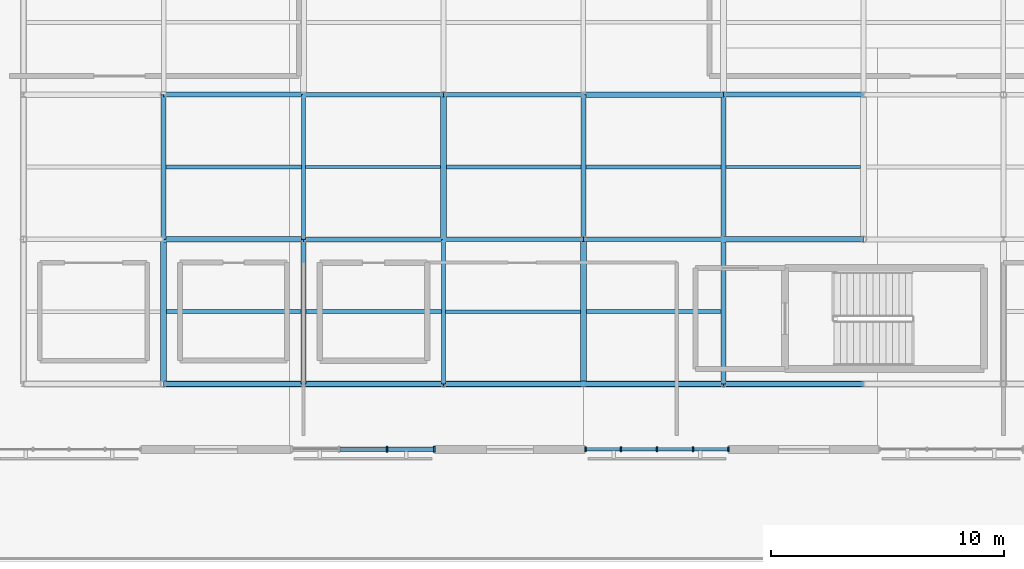
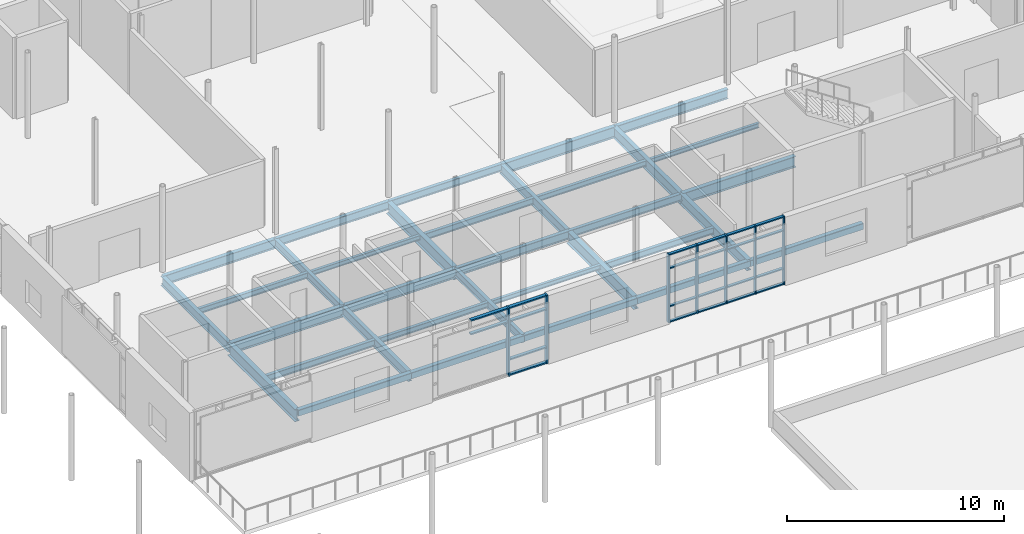
# One storey, part 23 of 66: 34 beams, 29 members, 2 elements without a shape of their own.
"""IFC4 building model written with IfcOpenShell, lengths in metres."""

from ifc_helpers import new_model, si_unit, direction, frame, origin, origin_2d, place, context, subcontext, project, spatial, rectangle, hollow_rectangle, i_section, extrude, material, layer, layer_set, material_profile, profile_set, type_object, element, aggregate, save


model = new_model("IFC4")

# Units and contexts
model_context = context("Model", 3, precision=1e-05, world=origin(), true_north=direction((0.0, 1.0)))
body_context = subcontext(model_context, "Body", "Model", "MODEL_VIEW")
ifc_project = project(units=[si_unit("LENGTHUNIT", "METRE"), si_unit("AREAUNIT", "SQUARE_METRE"), si_unit("VOLUMEUNIT", "CUBIC_METRE"), si_unit("PLANEANGLEUNIT", "RADIAN"), si_unit("MASSUNIT", "GRAM", prefix="KILO")], contexts=[model_context])

# Site, building, storey
site_placement = place(None, origin())
site = spatial("IfcSite", under=ifc_project, at=site_placement, CompositionType="ELEMENT")
building_placement = place(site_placement, origin())
building = spatial("IfcBuilding", under=site, at=building_placement, Name="Mirzam Square Science Centre", CompositionType="ELEMENT")
storey_placement = place(building_placement, frame((0.0, 0.0, 15.60009765625)))
storey = spatial("IfcBuildingStorey", under=building, at=storey_placement, Name="L03", CompositionType="ELEMENT", Elevation=15.60009765625)

# Beams
ifc_material_1 = material(Name="Steel S355", Category="steel")
ifc_material_profile_1 = material_profile(ifc_material_1, i_section(OverallWidth=0.1787109375, OverallDepth=0.409423828125, WebThickness=0.0087890625, FlangeThickness=0.014404296875, FilletRadius=0.01025390625, at=origin_2d()), Name="406x178x67UB")
ifc_profile_set_1 = profile_set([ifc_material_profile_1], Name="Steel S355")
beam_type_1 = type_object("IfcBeamType", Name="BM-UB406", PredefinedType="BEAM", material=ifc_profile_set_1)
for number, where, z_axis, x_axis, name in (
    (1, (132.0, 55.800048828125, -0.454833984375), (1.0, 0.0, 0.0), (0.0, 1.0, 0.0), "L03 girder X23-10"),
    (2, (126.0, 62.0, -0.454833984375), (1.0, 0.0, 0.0), (0.0, 1.0, 0.0), "L03 girder X22-11"),
):
    element("IfcBeam", number, at=place(storey_placement, frame(where, z_axis=z_axis, x_axis=x_axis)), inside=storey, type_object=beam_type_1, Name=name, PredefinedType="BEAM", context=body_context, shape_type="SweptSolid", body=[
        extrude(i_section(OverallWidth=0.1787109375, OverallDepth=0.409423828125, WebThickness=0.0087890625, FlangeThickness=0.014404296875, FilletRadius=0.01025390625, at=origin_2d()), origin(), (0.0, 0.0, 1.0), 6.0),
    ])
ifc_material_profile_2 = material_profile(ifc_material_1, i_section(OverallWidth=0.19140625, OverallDepth=0.4599609375, WebThickness=0.010009765625, FlangeThickness=0.01611328125, FilletRadius=0.01025390625, at=origin_2d()), Name="457x191x82UB")
ifc_profile_set_2 = profile_set([ifc_material_profile_2], Name="Steel S355")
beam_type_2 = type_object("IfcBeamType", Name="BM-UB457", PredefinedType="BEAM", material=ifc_profile_set_2)
for number, where, z_axis, x_axis, name in (
    (3, (126.0, 55.800048828125, -0.47998046875), (1.0, 0.0, 0.0), (0.0, 1.0, 0.0), "L03 girder X22-10"),
    (4, (120.0, 62.0, -0.47998046875), (1.0, 0.0, 0.0), (0.0, 1.0, 0.0), "L03 girder X21-11"),
):
    element("IfcBeam", number, at=place(storey_placement, frame(where, z_axis=z_axis, x_axis=x_axis)), inside=storey, type_object=beam_type_2, Name=name, PredefinedType="BEAM", context=body_context, shape_type="SweptSolid", body=[
        extrude(i_section(OverallWidth=0.19140625, OverallDepth=0.4599609375, WebThickness=0.010009765625, FlangeThickness=0.01611328125, FilletRadius=0.01025390625, at=origin_2d()), origin(), (0.0, 0.0, 1.0), 6.0),
    ])
for number, where, z_axis, x_axis, name in (
    (5, (120.0, 55.800048828125, -0.47998046875), (0.0, 1.0, 0.0), (-1.0, 0.0, 0.0), "L03 girder Y21-10"),
    (6, (126.0, 49.60009765625, -0.47998046875), (0.0, 1.0, 0.0), (-1.0, 0.0, 0.0), "L03 girder Y22-9"),
):
    element("IfcBeam", number, at=place(storey_placement, frame(where, z_axis=z_axis, x_axis=x_axis)), inside=storey, type_object=beam_type_2, Name=name, PredefinedType="BEAM", context=body_context, shape_type="SweptSolid", body=[
        extrude(i_section(OverallWidth=0.19140625, OverallDepth=0.4599609375, WebThickness=0.010009765625, FlangeThickness=0.01611328125, FilletRadius=0.01025390625, at=origin_2d()), origin(), (0.0, 0.0, 1.0), 6.199951171875),
    ])
ifc_material_profile_3 = material_profile(ifc_material_1, i_section(OverallWidth=0.2099609375, OverallDepth=0.53662109375, WebThickness=0.0107421875, FlangeThickness=0.017333984375, FilletRadius=0.0126953125, at=origin_2d()), Name="533x210x101UB")
ifc_profile_set_3 = profile_set([ifc_material_profile_3], Name="Steel S355")
beam_type_3 = type_object("IfcBeamType", Name="BM-UB533", PredefinedType="BEAM", material=ifc_profile_set_3)
for number, where, z_axis, x_axis, name in (
    (7, (120.0, 55.800048828125, -0.5185546875), (1.0, 0.0, 0.0), (0.0, 1.0, 0.0), "L03 girder X21-10"),
    (8, (114.0, 62.0, -0.5185546875), (1.0, 0.0, 0.0), (0.0, 1.0, 0.0), "L03 girder X20-11"),
    (9, (138.0, 62.0, -0.5185546875), (1.0, 0.0, 0.0), (0.0, 1.0, 0.0), "L03 girder X24-11"),
):
    element("IfcBeam", number, at=place(storey_placement, frame(where, z_axis=z_axis, x_axis=x_axis)), inside=storey, type_object=beam_type_3, Name=name, PredefinedType="BEAM", context=body_context, shape_type="SweptSolid", body=[
        extrude(i_section(OverallWidth=0.2099609375, OverallDepth=0.53662109375, WebThickness=0.0107421875, FlangeThickness=0.017333984375, FilletRadius=0.0126953125, at=origin_2d()), origin(), (0.0, 0.0, 1.0), 6.0),
    ])
for number, where, z_axis, x_axis, name in (
    (10, (114.0, 55.800048828125, -0.5185546875), (0.0, 1.0, 0.0), (-1.0, 0.0, 0.0), "L03 girder Y20-10"),
    (11, (120.0, 49.60009765625, -0.5185546875), (0.0, 1.0, 0.0), (-1.0, 0.0, 0.0), "L03 girder Y21-9"),
    (12, (132.0, 55.800048828125, -0.5185546875), (0.0, 1.0, 0.0), (-1.0, 0.0, 0.0), "L03 girder Y23-10"),
):
    element("IfcBeam", number, at=place(storey_placement, frame(where, z_axis=z_axis, x_axis=x_axis)), inside=storey, type_object=beam_type_3, Name=name, PredefinedType="BEAM", context=body_context, shape_type="SweptSolid", body=[
        extrude(i_section(OverallWidth=0.2099609375, OverallDepth=0.53662109375, WebThickness=0.0107421875, FlangeThickness=0.017333984375, FilletRadius=0.0126953125, at=origin_2d()), origin(), (0.0, 0.0, 1.0), 6.199951171875),
    ])
ifc_material_profile_4 = material_profile(ifc_material_1, i_section(OverallWidth=0.22900390625, OverallDepth=0.6123046875, WebThickness=0.011962890625, FlangeThickness=0.01953125, FilletRadius=0.0126953125, at=origin_2d()), Name="610x229x125UB")
ifc_profile_set_4 = profile_set([ifc_material_profile_4], Name="Steel S355")
beam_type_4 = type_object("IfcBeamType", Name="BM-UB610", PredefinedType="BEAM", material=ifc_profile_set_4)
for number, where, z_axis, x_axis, name in (
    (13, (114.0, 55.800048828125, -0.55615234375), (1.0, 0.0, 0.0), (0.0, 1.0, 0.0), "L03 girder X20-10"),
    (14, (138.0, 55.800048828125, -0.55615234375), (1.0, 0.0, 0.0), (0.0, 1.0, 0.0), "L03 girder X24-10"),
    (15, (132.0, 62.0, -0.55615234375), (1.0, 0.0, 0.0), (0.0, 1.0, 0.0), "L03 girder X23-11"),
):
    element("IfcBeam", number, at=place(storey_placement, frame(where, z_axis=z_axis, x_axis=x_axis)), inside=storey, type_object=beam_type_4, Name=name, PredefinedType="BEAM", context=body_context, shape_type="SweptSolid", body=[
        extrude(i_section(OverallWidth=0.22900390625, OverallDepth=0.6123046875, WebThickness=0.011962890625, FlangeThickness=0.01953125, FilletRadius=0.0126953125, at=origin_2d()), origin(), (0.0, 0.0, 1.0), 6.0),
    ])
for number, where, z_axis, x_axis, name in (
    (16, (138.0, 49.60009765625, -0.55615234375), (0.0, 1.0, 0.0), (-1.0, 0.0, 0.0), "L03 girder Y24-9"),
    (17, (138.0, 55.800048828125, -0.55615234375), (0.0, 1.0, 0.0), (-1.0, 0.0, 0.0), "L03 girder Y24-10"),
):
    element("IfcBeam", number, at=place(storey_placement, frame(where, z_axis=z_axis, x_axis=x_axis)), inside=storey, type_object=beam_type_4, Name=name, PredefinedType="BEAM", context=body_context, shape_type="SweptSolid", body=[
        extrude(i_section(OverallWidth=0.22900390625, OverallDepth=0.6123046875, WebThickness=0.011962890625, FlangeThickness=0.01953125, FilletRadius=0.0126953125, at=origin_2d()), origin(), (0.0, 0.0, 1.0), 6.199951171875),
    ])
ifc_material_profile_5 = material_profile(ifc_material_1, i_section(OverallWidth=0.25439453125, OverallDepth=0.6875, WebThickness=0.01318359375, FlangeThickness=0.02099609375, FilletRadius=0.01513671875, at=origin_2d()), Name="686x254x152UB")
ifc_profile_set_5 = profile_set([ifc_material_profile_5], Name="Steel S355")
beam_type_5 = type_object("IfcBeamType", Name="BM-UB686", PredefinedType="BEAM", material=ifc_profile_set_5)
for number, where, z_axis, x_axis, name in (
    (18, (114.0, 49.60009765625, -0.593994140625), (0.0, 1.0, 0.0), (-1.0, 0.0, 0.0), "L03 girder Y20-9"),
    (19, (126.0, 55.800048828125, -0.593994140625), (0.0, 1.0, 0.0), (-1.0, 0.0, 0.0), "L03 girder Y22-10"),
    (20, (132.0, 49.60009765625, -0.593994140625), (0.0, 1.0, 0.0), (-1.0, 0.0, 0.0), "L03 girder Y23-9"),
):
    element("IfcBeam", number, at=place(storey_placement, frame(where, z_axis=z_axis, x_axis=x_axis)), inside=storey, type_object=beam_type_5, Name=name, PredefinedType="BEAM", context=body_context, shape_type="SweptSolid", body=[
        extrude(i_section(OverallWidth=0.25439453125, OverallDepth=0.6875, WebThickness=0.01318359375, FlangeThickness=0.02099609375, FilletRadius=0.01513671875, at=origin_2d()), origin(), (0.0, 0.0, 1.0), 6.199951171875),
    ])

# Curtain wall, members
ifc_material_2 = material(Name="Anodised Aluminium and Low-E Solar Glass", Category="aluminium")
ifc_layer_1 = layer(ifc_material_2, 0.179931640625)
ifc_layer_set_1 = layer_set([ifc_layer_1], Name="CW-LINK-A")
curtain_wall_type_1 = type_object("IfcCurtainWallType", Name="CW-LINK-A", PredefinedType="USERDEFINED", material=ifc_layer_set_1)
curtain_wall_1_placement = place(storey_placement, origin())
curtain_wall_1 = element("IfcCurtainWall", 21, at=curtain_wall_1_placement, inside=storey, type_object=curtain_wall_type_1, Name="L03 unitised curtain wall 125", ObjectType="UNITISED CURTAIN WALL", PredefinedType="USERDEFINED")
ifc_material_3 = material(Name="Anodised Architectural Aluminium 6063-T6", Category="aluminium")
ifc_material_profile_6 = material_profile(ifc_material_3, rectangle(XDim=0.06494140625, YDim=0.199951171875, at=origin_2d()), Name="ALU-MULL-200x65x5")
ifc_profile_set_6 = profile_set([ifc_material_profile_6], Name="Anodised Architectural Aluminium 6063-T6")
member_type_1 = type_object("IfcMemberType", Name="CWM-200", PredefinedType="MULLION", material=ifc_profile_set_6)
member_1_placement = place(storey_placement, frame((132.08740234375, 46.800048828125, 0.0), z_axis=(0.0, 0.0, 1.0), x_axis=(1.0, 0.0, 0.0)))
member_1 = element("IfcMember", 22, at=member_1_placement, type_object=member_type_1, Name="CW-08 mullion 1", PredefinedType="MULLION", context=body_context, shape_type="SweptSolid", body=[
    extrude(rectangle(XDim=0.06494140625, YDim=0.199951171875, at=origin_2d()), origin(), (0.0, 0.0, 1.0), 3.83984375),
])
member_2_placement = place(storey_placement, frame((133.6025390625, 46.800048828125, 0.0), z_axis=(0.0, 0.0, 1.0), x_axis=(1.0, 0.0, 0.0)))
member_2 = element("IfcMember", 23, at=member_2_placement, type_object=member_type_1, Name="CW-08 mullion 2", PredefinedType="MULLION", context=body_context, shape_type="SweptSolid", body=[
    extrude(rectangle(XDim=0.06494140625, YDim=0.199951171875, at=origin_2d()), origin(), (0.0, 0.0, 1.0), 3.83984375),
])
member_3_placement = place(storey_placement, frame((135.14990234375, 46.800048828125, 0.0), z_axis=(0.0, 0.0, 1.0), x_axis=(1.0, 0.0, 0.0)))
member_3 = element("IfcMember", 24, at=member_3_placement, type_object=member_type_1, Name="CW-08 mullion 3", PredefinedType="MULLION", context=body_context, shape_type="SweptSolid", body=[
    extrude(rectangle(XDim=0.06494140625, YDim=0.199951171875, at=origin_2d()), origin(), (0.0, 0.0, 1.0), 3.83984375),
])
member_4_placement = place(storey_placement, frame((136.697509765625, 46.800048828125, 0.0), z_axis=(0.0, 0.0, 1.0), x_axis=(1.0, 0.0, 0.0)))
member_4 = element("IfcMember", 25, at=member_4_placement, type_object=member_type_1, Name="CW-08 mullion 4", PredefinedType="MULLION", context=body_context, shape_type="SweptSolid", body=[
    extrude(rectangle(XDim=0.06494140625, YDim=0.199951171875, at=origin_2d()), origin(), (0.0, 0.0, 1.0), 3.83984375),
])
member_5_placement = place(storey_placement, frame((138.21240234375, 46.800048828125, 0.0), z_axis=(0.0, 0.0, 1.0), x_axis=(1.0, 0.0, 0.0)))
member_5 = element("IfcMember", 26, at=member_5_placement, type_object=member_type_1, Name="CW-08 mullion 5", PredefinedType="MULLION", context=body_context, shape_type="SweptSolid", body=[
    extrude(rectangle(XDim=0.06494140625, YDim=0.199951171875, at=origin_2d()), origin(), (0.0, 0.0, 1.0), 3.83984375),
])

ifc_layer_2 = layer(ifc_material_2, 0.239990234375)
ifc_layer_set_2 = layer_set([ifc_layer_2], Name="CW-EAST-B")
curtain_wall_type_2 = type_object("IfcCurtainWallType", Name="CW-EAST-B", PredefinedType="USERDEFINED", material=ifc_layer_set_2)
curtain_wall_2_placement = place(storey_placement, origin())
curtain_wall_2 = element("IfcCurtainWall", 27, at=curtain_wall_2_placement, inside=storey, type_object=curtain_wall_type_2, Name="L03 unitised curtain wall 124", ObjectType="UNITISED CURTAIN WALL", PredefinedType="USERDEFINED")
ifc_material_profile_7 = material_profile(ifc_material_3, rectangle(XDim=0.074951171875, YDim=0.239990234375, at=origin_2d()), Name="ALU-MULL-240x75x5")
ifc_profile_set_7 = profile_set([ifc_material_profile_7], Name="Anodised Architectural Aluminium 6063-T6")
member_type_2 = type_object("IfcMemberType", Name="CWM-240", PredefinedType="MULLION", material=ifc_profile_set_7)
member_6_placement = place(storey_placement, frame((123.581787109375, 46.800048828125, 0.0), z_axis=(0.0, 0.0, 1.0), x_axis=(1.0, 0.0, 0.0)))
member_6 = element("IfcMember", 28, at=member_6_placement, type_object=member_type_2, Name="CW-06 mullion 3", PredefinedType="MULLION", context=body_context, shape_type="SweptSolid", body=[
    extrude(rectangle(XDim=0.074951171875, YDim=0.239990234375, at=origin_2d()), origin(), (0.0, 0.0, 1.0), 3.83984375),
])
member_7_placement = place(storey_placement, frame((125.607421875, 46.800048828125, 0.0), z_axis=(0.0, 0.0, 1.0), x_axis=(1.0, 0.0, 0.0)))
member_7 = element("IfcMember", 29, at=member_7_placement, type_object=member_type_2, Name="CW-06 mullion 4", PredefinedType="MULLION", context=body_context, shape_type="SweptSolid", body=[
    extrude(rectangle(XDim=0.074951171875, YDim=0.239990234375, at=origin_2d()), origin(), (0.0, 0.0, 1.0), 3.83984375),
])

# Member
ifc_material_profile_8 = material_profile(ifc_material_3, rectangle(XDim=0.14990234375, YDim=0.06494140625, at=origin_2d()), Name="ALU-TRAN-150x65x4")
ifc_profile_set_8 = profile_set([ifc_material_profile_8], Name="Anodised Architectural Aluminium 6063-T6")
member_type_3 = type_object("IfcMemberType", Name="CWT-150", PredefinedType="USERDEFINED", material=ifc_profile_set_8)
member_8_placement = place(storey_placement, frame((132.1201171875, 46.800048828125, 0.032470703125), z_axis=(1.0, 0.0, 0.0), x_axis=(0.0, 1.0, 0.0)))
member_8 = element("IfcMember", 30, at=member_8_placement, type_object=member_type_3, Name="CW-08 transom 1.1", ObjectType="TRANSOM", PredefinedType="USERDEFINED", context=body_context, shape_type="SweptSolid", body=[
    extrude(rectangle(XDim=0.14990234375, YDim=0.06494140625, at=origin_2d()), origin(), (0.0, 0.0, 1.0), 1.449951171875),
])

member_9_placement = place(storey_placement, frame((132.1201171875, 46.800048828125, 0.89990234375), z_axis=(1.0, 0.0, 0.0), x_axis=(0.0, 1.0, 0.0)))
member_9 = element("IfcMember", 31, at=member_9_placement, type_object=member_type_3, Name="CW-08 transom 1.2", ObjectType="TRANSOM", PredefinedType="USERDEFINED", context=body_context, shape_type="SweptSolid", body=[
    extrude(rectangle(XDim=0.14990234375, YDim=0.06494140625, at=origin_2d()), origin(), (0.0, 0.0, 1.0), 1.449951171875),
])

member_10_placement = place(storey_placement, frame((132.1201171875, 46.800048828125, 3.039794921875), z_axis=(1.0, 0.0, 0.0), x_axis=(0.0, 1.0, 0.0)))
member_10 = element("IfcMember", 32, at=member_10_placement, type_object=member_type_3, Name="CW-08 transom 1.3", ObjectType="TRANSOM", PredefinedType="USERDEFINED", context=body_context, shape_type="SweptSolid", body=[
    extrude(rectangle(XDim=0.14990234375, YDim=0.06494140625, at=origin_2d()), origin(), (0.0, 0.0, 1.0), 1.449951171875),
])

member_11_placement = place(storey_placement, frame((132.1201171875, 46.800048828125, 3.807373046875), z_axis=(1.0, 0.0, 0.0), x_axis=(0.0, 1.0, 0.0)))
member_11 = element("IfcMember", 33, at=member_11_placement, type_object=member_type_3, Name="CW-08 transom 1.4", ObjectType="TRANSOM", PredefinedType="USERDEFINED", context=body_context, shape_type="SweptSolid", body=[
    extrude(rectangle(XDim=0.14990234375, YDim=0.06494140625, at=origin_2d()), origin(), (0.0, 0.0, 1.0), 1.449951171875),
])

member_12_placement = place(storey_placement, frame((133.635009765625, 46.800048828125, 0.032470703125), z_axis=(1.0, 0.0, 0.0), x_axis=(0.0, 1.0, 0.0)))
member_12 = element("IfcMember", 34, at=member_12_placement, type_object=member_type_3, Name="CW-08 transom 2.1", ObjectType="TRANSOM", PredefinedType="USERDEFINED", context=body_context, shape_type="SweptSolid", body=[
    extrude(rectangle(XDim=0.14990234375, YDim=0.06494140625, at=origin_2d()), origin(), (0.0, 0.0, 1.0), 1.482421875),
])

member_13_placement = place(storey_placement, frame((133.635009765625, 46.800048828125, 0.89990234375), z_axis=(1.0, 0.0, 0.0), x_axis=(0.0, 1.0, 0.0)))
member_13 = element("IfcMember", 35, at=member_13_placement, type_object=member_type_3, Name="CW-08 transom 2.2", ObjectType="TRANSOM", PredefinedType="USERDEFINED", context=body_context, shape_type="SweptSolid", body=[
    extrude(rectangle(XDim=0.14990234375, YDim=0.06494140625, at=origin_2d()), origin(), (0.0, 0.0, 1.0), 1.482421875),
])

member_14_placement = place(storey_placement, frame((133.635009765625, 46.800048828125, 3.039794921875), z_axis=(1.0, 0.0, 0.0), x_axis=(0.0, 1.0, 0.0)))
member_14 = element("IfcMember", 36, at=member_14_placement, type_object=member_type_3, Name="CW-08 transom 2.3", ObjectType="TRANSOM", PredefinedType="USERDEFINED", context=body_context, shape_type="SweptSolid", body=[
    extrude(rectangle(XDim=0.14990234375, YDim=0.06494140625, at=origin_2d()), origin(), (0.0, 0.0, 1.0), 1.482421875),
])

member_15_placement = place(storey_placement, frame((133.635009765625, 46.800048828125, 3.807373046875), z_axis=(1.0, 0.0, 0.0), x_axis=(0.0, 1.0, 0.0)))
member_15 = element("IfcMember", 37, at=member_15_placement, type_object=member_type_3, Name="CW-08 transom 2.4", ObjectType="TRANSOM", PredefinedType="USERDEFINED", context=body_context, shape_type="SweptSolid", body=[
    extrude(rectangle(XDim=0.14990234375, YDim=0.06494140625, at=origin_2d()), origin(), (0.0, 0.0, 1.0), 1.482421875),
])

member_16_placement = place(storey_placement, frame((135.1826171875, 46.800048828125, 0.032470703125), z_axis=(1.0, 0.0, 0.0), x_axis=(0.0, 1.0, 0.0)))
member_16 = element("IfcMember", 38, at=member_16_placement, type_object=member_type_3, Name="CW-08 transom 3.1", ObjectType="TRANSOM", PredefinedType="USERDEFINED", context=body_context, shape_type="SweptSolid", body=[
    extrude(rectangle(XDim=0.14990234375, YDim=0.06494140625, at=origin_2d()), origin(), (0.0, 0.0, 1.0), 1.482421875),
])

member_17_placement = place(storey_placement, frame((135.1826171875, 46.800048828125, 0.89990234375), z_axis=(1.0, 0.0, 0.0), x_axis=(0.0, 1.0, 0.0)))
member_17 = element("IfcMember", 39, at=member_17_placement, type_object=member_type_3, Name="CW-08 transom 3.2", ObjectType="TRANSOM", PredefinedType="USERDEFINED", context=body_context, shape_type="SweptSolid", body=[
    extrude(rectangle(XDim=0.14990234375, YDim=0.06494140625, at=origin_2d()), origin(), (0.0, 0.0, 1.0), 1.482421875),
])

member_18_placement = place(storey_placement, frame((135.1826171875, 46.800048828125, 3.039794921875), z_axis=(1.0, 0.0, 0.0), x_axis=(0.0, 1.0, 0.0)))
member_18 = element("IfcMember", 40, at=member_18_placement, type_object=member_type_3, Name="CW-08 transom 3.3", ObjectType="TRANSOM", PredefinedType="USERDEFINED", context=body_context, shape_type="SweptSolid", body=[
    extrude(rectangle(XDim=0.14990234375, YDim=0.06494140625, at=origin_2d()), origin(), (0.0, 0.0, 1.0), 1.482421875),
])

member_19_placement = place(storey_placement, frame((135.1826171875, 46.800048828125, 3.807373046875), z_axis=(1.0, 0.0, 0.0), x_axis=(0.0, 1.0, 0.0)))
member_19 = element("IfcMember", 41, at=member_19_placement, type_object=member_type_3, Name="CW-08 transom 3.4", ObjectType="TRANSOM", PredefinedType="USERDEFINED", context=body_context, shape_type="SweptSolid", body=[
    extrude(rectangle(XDim=0.14990234375, YDim=0.06494140625, at=origin_2d()), origin(), (0.0, 0.0, 1.0), 1.482421875),
])

member_20_placement = place(storey_placement, frame((136.72998046875, 46.800048828125, 0.032470703125), z_axis=(1.0, 0.0, 0.0), x_axis=(0.0, 1.0, 0.0)))
member_20 = element("IfcMember", 42, at=member_20_placement, type_object=member_type_3, Name="CW-08 transom 4.1", ObjectType="TRANSOM", PredefinedType="USERDEFINED", context=body_context, shape_type="SweptSolid", body=[
    extrude(rectangle(XDim=0.14990234375, YDim=0.06494140625, at=origin_2d()), origin(), (0.0, 0.0, 1.0), 1.449951171875),
])

member_21_placement = place(storey_placement, frame((136.72998046875, 46.800048828125, 0.89990234375), z_axis=(1.0, 0.0, 0.0), x_axis=(0.0, 1.0, 0.0)))
member_21 = element("IfcMember", 43, at=member_21_placement, type_object=member_type_3, Name="CW-08 transom 4.2", ObjectType="TRANSOM", PredefinedType="USERDEFINED", context=body_context, shape_type="SweptSolid", body=[
    extrude(rectangle(XDim=0.14990234375, YDim=0.06494140625, at=origin_2d()), origin(), (0.0, 0.0, 1.0), 1.449951171875),
])

member_22_placement = place(storey_placement, frame((136.72998046875, 46.800048828125, 3.039794921875), z_axis=(1.0, 0.0, 0.0), x_axis=(0.0, 1.0, 0.0)))
member_22 = element("IfcMember", 44, at=member_22_placement, type_object=member_type_3, Name="CW-08 transom 4.3", ObjectType="TRANSOM", PredefinedType="USERDEFINED", context=body_context, shape_type="SweptSolid", body=[
    extrude(rectangle(XDim=0.14990234375, YDim=0.06494140625, at=origin_2d()), origin(), (0.0, 0.0, 1.0), 1.449951171875),
])

member_23_placement = place(storey_placement, frame((136.72998046875, 46.800048828125, 3.807373046875), z_axis=(1.0, 0.0, 0.0), x_axis=(0.0, 1.0, 0.0)))
member_23 = element("IfcMember", 45, at=member_23_placement, type_object=member_type_3, Name="CW-08 transom 4.4", ObjectType="TRANSOM", PredefinedType="USERDEFINED", context=body_context, shape_type="SweptSolid", body=[
    extrude(rectangle(XDim=0.14990234375, YDim=0.06494140625, at=origin_2d()), origin(), (0.0, 0.0, 1.0), 1.449951171875),
])

aggregate(curtain_wall_1, [member_1, member_2, member_3, member_4, member_5, member_8, member_9, member_10, member_11, member_12, member_13, member_14, member_15, member_16, member_17, member_18, member_19, member_20, member_21, member_22, member_23])

ifc_material_profile_9 = material_profile(ifc_material_3, rectangle(XDim=0.179931640625, YDim=0.074951171875, at=origin_2d()), Name="ALU-TRAN-180x75x5")
ifc_profile_set_9 = profile_set([ifc_material_profile_9], Name="Anodised Architectural Aluminium 6063-T6")
member_type_4 = type_object("IfcMemberType", Name="CWT-180", PredefinedType="USERDEFINED", material=ifc_profile_set_9)
member_24_placement = place(storey_placement, frame((121.555908203125, 46.800048828125, 3.039794921875), z_axis=(1.0, 0.0, 0.0), x_axis=(0.0, 1.0, 0.0)))
member_24 = element("IfcMember", 46, at=member_24_placement, type_object=member_type_4, Name="CW-06 transom 2.3", ObjectType="TRANSOM", PredefinedType="USERDEFINED", context=body_context, shape_type="SweptSolid", body=[
    extrude(rectangle(XDim=0.179931640625, YDim=0.074951171875, at=origin_2d()), origin(), (0.0, 0.0, 1.0), 1.98828125),
])

member_25_placement = place(storey_placement, frame((121.555908203125, 46.800048828125, 3.802490234375), z_axis=(1.0, 0.0, 0.0), x_axis=(0.0, 1.0, 0.0)))
member_25 = element("IfcMember", 47, at=member_25_placement, type_object=member_type_4, Name="CW-06 transom 2.4", ObjectType="TRANSOM", PredefinedType="USERDEFINED", context=body_context, shape_type="SweptSolid", body=[
    extrude(rectangle(XDim=0.179931640625, YDim=0.074951171875, at=origin_2d()), origin(), (0.0, 0.0, 1.0), 1.98828125),
])

member_26_placement = place(storey_placement, frame((123.619140625, 46.800048828125, 0.037353515625), z_axis=(1.0, 0.0, 0.0), x_axis=(0.0, 1.0, 0.0)))
member_26 = element("IfcMember", 48, at=member_26_placement, type_object=member_type_4, Name="CW-06 transom 3.1", ObjectType="TRANSOM", PredefinedType="USERDEFINED", context=body_context, shape_type="SweptSolid", body=[
    extrude(rectangle(XDim=0.179931640625, YDim=0.074951171875, at=origin_2d()), origin(), (0.0, 0.0, 1.0), 1.950927734375),
])

member_27_placement = place(storey_placement, frame((123.619140625, 46.800048828125, 0.89990234375), z_axis=(1.0, 0.0, 0.0), x_axis=(0.0, 1.0, 0.0)))
member_27 = element("IfcMember", 49, at=member_27_placement, type_object=member_type_4, Name="CW-06 transom 3.2", ObjectType="TRANSOM", PredefinedType="USERDEFINED", context=body_context, shape_type="SweptSolid", body=[
    extrude(rectangle(XDim=0.179931640625, YDim=0.074951171875, at=origin_2d()), origin(), (0.0, 0.0, 1.0), 1.950927734375),
])

member_28_placement = place(storey_placement, frame((123.619140625, 46.800048828125, 3.039794921875), z_axis=(1.0, 0.0, 0.0), x_axis=(0.0, 1.0, 0.0)))
member_28 = element("IfcMember", 50, at=member_28_placement, type_object=member_type_4, Name="CW-06 transom 3.3", ObjectType="TRANSOM", PredefinedType="USERDEFINED", context=body_context, shape_type="SweptSolid", body=[
    extrude(rectangle(XDim=0.179931640625, YDim=0.074951171875, at=origin_2d()), origin(), (0.0, 0.0, 1.0), 1.950927734375),
])

member_29_placement = place(storey_placement, frame((123.619140625, 46.800048828125, 3.802490234375), z_axis=(1.0, 0.0, 0.0), x_axis=(0.0, 1.0, 0.0)))
member_29 = element("IfcMember", 51, at=member_29_placement, type_object=member_type_4, Name="CW-06 transom 3.4", ObjectType="TRANSOM", PredefinedType="USERDEFINED", context=body_context, shape_type="SweptSolid", body=[
    extrude(rectangle(XDim=0.179931640625, YDim=0.074951171875, at=origin_2d()), origin(), (0.0, 0.0, 1.0), 1.950927734375),
])

aggregate(curtain_wall_2, [member_6, member_7, member_24, member_25, member_26, member_27, member_28, member_29])

# Beams
ifc_material_profile_10 = material_profile(ifc_material_1, i_section(OverallWidth=0.146484375, OverallDepth=0.256103515625, WebThickness=0.00634765625, FlangeThickness=0.010986328125, FilletRadius=0.007568359375, at=origin_2d()), Name="254x146x37UB")
ifc_profile_set_10 = profile_set([ifc_material_profile_10], Name="Steel S355")
beam_type_6 = type_object("IfcBeamType", Name="JS-UB254", PredefinedType="JOIST", material=ifc_profile_set_10)
for number, where, z_axis, x_axis, name in (
    (52, (120.095703125, 58.89990234375, -0.378173828125), (1.0, 0.0, 0.0), (0.0, 1.0, 0.0), "L03 composite joist 21-10"),
    (53, (126.095703125, 52.699951171875, -0.378173828125), (1.0, 0.0, 0.0), (0.0, 1.0, 0.0), "L03 composite joist 22-9"),
):
    element("IfcBeam", number, at=place(storey_placement, frame(where, z_axis=z_axis, x_axis=x_axis)), inside=storey, type_object=beam_type_6, Name=name, PredefinedType="JOIST", context=body_context, shape_type="SweptSolid", body=[
        extrude(i_section(OverallWidth=0.146484375, OverallDepth=0.256103515625, WebThickness=0.00634765625, FlangeThickness=0.010986328125, FilletRadius=0.007568359375, at=origin_2d()), origin(), (0.0, 0.0, 1.0), 5.777099609375),
    ])
beam_1_placement = place(storey_placement, frame((138.114501953125, 58.89990234375, -0.378173828125), z_axis=(1.0, 0.0, 0.0), x_axis=(0.0, 1.0, 0.0)))
element("IfcBeam", 54, at=beam_1_placement, inside=storey, type_object=beam_type_6, Name="L03 composite joist 24-10", PredefinedType="JOIST", context=body_context, shape_type="SweptSolid", body=[
    extrude(i_section(OverallWidth=0.146484375, OverallDepth=0.256103515625, WebThickness=0.00634765625, FlangeThickness=0.010986328125, FilletRadius=0.007568359375, at=origin_2d()), origin(), (0.0, 0.0, 1.0), 5.75830078125),
])
ifc_material_profile_11 = material_profile(ifc_material_1, i_section(OverallWidth=0.165771484375, OverallDepth=0.306640625, WebThickness=0.006591796875, FlangeThickness=0.01171875, FilletRadius=0.0087890625, at=origin_2d()), Name="305x165x46UB")
ifc_profile_set_11 = profile_set([ifc_material_profile_11], Name="Steel S355")
beam_type_7 = type_object("IfcBeamType", Name="JS-UB305", PredefinedType="JOIST", material=ifc_profile_set_11)
for number, where, z_axis, x_axis, name in (
    (55, (114.10498046875, 58.89990234375, -0.4033203125), (1.0, 0.0, 0.0), (0.0, 1.0, 0.0), "L03 composite joist 20-10"),
    (56, (120.10498046875, 52.699951171875, -0.4033203125), (1.0, 0.0, 0.0), (0.0, 1.0, 0.0), "L03 composite joist 21-9"),
):
    element("IfcBeam", number, at=place(storey_placement, frame(where, z_axis=z_axis, x_axis=x_axis)), inside=storey, type_object=beam_type_7, Name=name, PredefinedType="JOIST", context=body_context, shape_type="SweptSolid", body=[
        extrude(i_section(OverallWidth=0.165771484375, OverallDepth=0.306640625, WebThickness=0.006591796875, FlangeThickness=0.01171875, FilletRadius=0.0087890625, at=origin_2d()), origin(), (0.0, 0.0, 1.0), 5.79931640625),
    ])
beam_2_placement = place(storey_placement, frame((132.10498046875, 58.89990234375, -0.4033203125), z_axis=(1.0, 0.0, 0.0), x_axis=(0.0, 1.0, 0.0)))
element("IfcBeam", 57, at=beam_2_placement, inside=storey, type_object=beam_type_7, Name="L03 composite joist 23-10", PredefinedType="JOIST", context=body_context, shape_type="SweptSolid", body=[
    extrude(i_section(OverallWidth=0.165771484375, OverallDepth=0.306640625, WebThickness=0.006591796875, FlangeThickness=0.01171875, FilletRadius=0.0087890625, at=origin_2d()), origin(), (0.0, 0.0, 1.0), 5.780517578125),
])
ifc_material_profile_12 = material_profile(ifc_material_1, i_section(OverallWidth=0.172119140625, OverallDepth=0.35791015625, WebThickness=0.008056640625, FlangeThickness=0.012939453125, FilletRadius=0.01025390625, at=origin_2d()), Name="356x171x57UB")
ifc_profile_set_12 = profile_set([ifc_material_profile_12], Name="Steel S355")
beam_type_8 = type_object("IfcBeamType", Name="JS-UB356", PredefinedType="JOIST", material=ifc_profile_set_12)
for number, where, z_axis, x_axis, name in (
    (58, (114.127197265625, 52.699951171875, -0.42919921875), (1.0, 0.0, 0.0), (0.0, 1.0, 0.0), "L03 composite joist 20-9"),
    (59, (126.127197265625, 58.89990234375, -0.42919921875), (1.0, 0.0, 0.0), (0.0, 1.0, 0.0), "L03 composite joist 22-10"),
):
    element("IfcBeam", number, at=place(storey_placement, frame(where, z_axis=z_axis, x_axis=x_axis)), inside=storey, type_object=beam_type_8, Name=name, PredefinedType="JOIST", context=body_context, shape_type="SweptSolid", body=[
        extrude(i_section(OverallWidth=0.172119140625, OverallDepth=0.35791015625, WebThickness=0.008056640625, FlangeThickness=0.012939453125, FilletRadius=0.01025390625, at=origin_2d()), origin(), (0.0, 0.0, 1.0), 5.767822265625),
    ])
beam_3_placement = place(storey_placement, frame((132.127197265625, 52.699951171875, -0.42919921875), z_axis=(1.0, 0.0, 0.0), x_axis=(0.0, 1.0, 0.0)))
element("IfcBeam", 60, at=beam_3_placement, inside=storey, type_object=beam_type_8, Name="L03 composite joist 23-9", PredefinedType="JOIST", context=body_context, shape_type="SweptSolid", body=[
    extrude(i_section(OverallWidth=0.172119140625, OverallDepth=0.35791015625, WebThickness=0.008056640625, FlangeThickness=0.012939453125, FilletRadius=0.01025390625, at=origin_2d()), origin(), (0.0, 0.0, 1.0), 5.75830078125),
])
ifc_material_profile_13 = material_profile(ifc_material_1, hollow_rectangle(XDim=0.25, YDim=0.35009765625, WallThickness=0.012451171875, InnerFilletRadius=0.012451171875, OuterFilletRadius=0.02490234375, at=origin_2d()), Name="350x250x12.5RHS")
ifc_profile_set_13 = profile_set([ifc_material_profile_13], Name="Steel S355")
beam_type_9 = type_object("IfcBeamType", Name="SP-RHS350", PredefinedType="SPANDREL", material=ifc_profile_set_13)
for number, where, z_axis, x_axis, name in (
    (61, (114.0, 49.60009765625, -0.425048828125), (1.0, 0.0, 0.0), (0.0, 1.0, 0.0), "L03 girder X20-9"),
    (62, (120.0, 49.60009765625, -0.425048828125), (1.0, 0.0, 0.0), (0.0, 1.0, 0.0), "L03 girder X21-9"),
    (63, (126.0, 49.60009765625, -0.425048828125), (1.0, 0.0, 0.0), (0.0, 1.0, 0.0), "L03 girder X22-9"),
    (64, (132.0, 49.60009765625, -0.425048828125), (1.0, 0.0, 0.0), (0.0, 1.0, 0.0), "L03 girder X23-9"),
    (65, (138.0, 49.60009765625, -0.425048828125), (1.0, 0.0, 0.0), (0.0, 1.0, 0.0), "L03 girder X24-9"),
):
    element("IfcBeam", number, at=place(storey_placement, frame(where, z_axis=z_axis, x_axis=x_axis)), inside=storey, type_object=beam_type_9, Name=name, PredefinedType="SPANDREL", context=body_context, shape_type="SweptSolid", body=[
        extrude(hollow_rectangle(XDim=0.25, YDim=0.35009765625, WallThickness=0.012451171875, InnerFilletRadius=0.012451171875, OuterFilletRadius=0.02490234375, at=origin_2d()), origin(), (0.0, 0.0, 1.0), 6.0),
    ])

save(model, "model.ifc")
